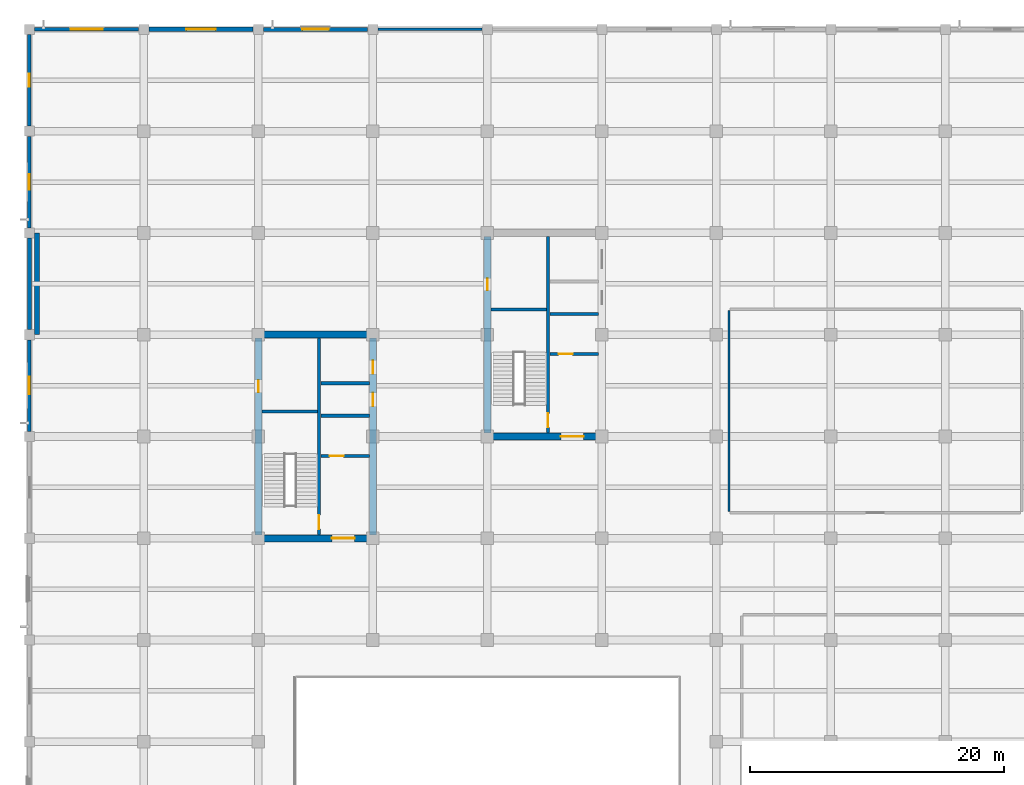
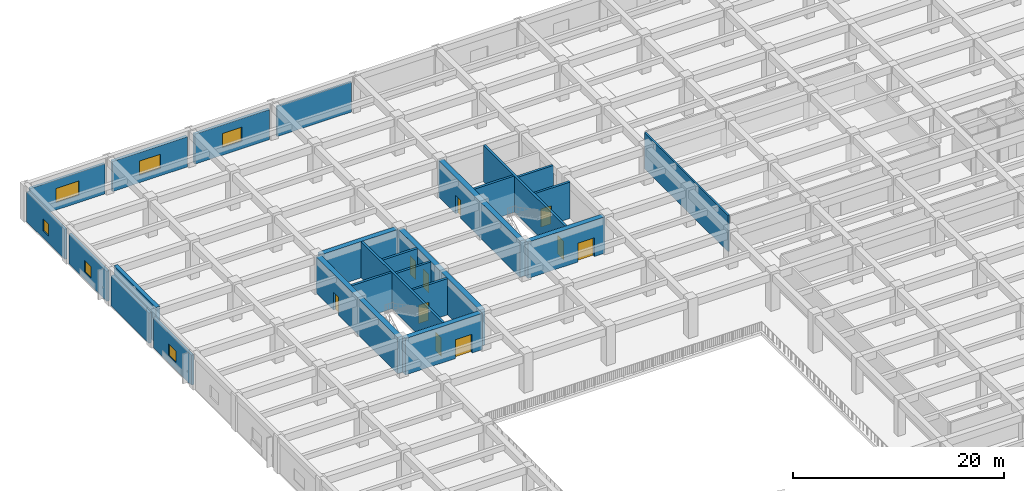
# One storey, part 13 of 32: 25 walls, 10 doors, 6 windows, 16 openings.
"""IFC4 building model written with IfcOpenShell, lengths in metres."""

from ifc_helpers import new_model, si_unit, direction, frame, frame_2d, origin, place, context, subcontext, project, spatial, rectangle, extrude, material, layer, layer_set, type_object, element, fill, save


model = new_model("IFC4")

# Units and contexts
model_context = context("Model", 3, precision=1e-05, world=origin(), true_north=direction((0.0, 1.0)))
body_context = subcontext(model_context, "Body", "Model", "MODEL_VIEW")
ifc_project = project(units=[si_unit("LENGTHUNIT", "METRE"), si_unit("AREAUNIT", "SQUARE_METRE"), si_unit("VOLUMEUNIT", "CUBIC_METRE"), si_unit("PLANEANGLEUNIT", "RADIAN"), si_unit("MASSUNIT", "GRAM", prefix="KILO")], contexts=[model_context])

# Site, building, storey
site_placement = place(None, origin())
site = spatial("IfcSite", under=ifc_project, at=site_placement, CompositionType="ELEMENT")
building_placement = place(site_placement, origin())
building = spatial("IfcBuilding", under=site, at=building_placement, Name="Zaverband Oceanarium and Marine Research Institute", CompositionType="ELEMENT")
storey_placement = place(building_placement, frame((0.0, 0.0, 13.5)))
storey = spatial("IfcBuildingStorey", under=building, at=storey_placement, Name="L03", CompositionType="ELEMENT", Elevation=13.5)

# Wall
ifc_material_1 = material(Name="Concrete C40/50 precast", Category="concrete")
ifc_layer_1 = layer(ifc_material_1, 0.18505859375, Name="Concrete C40/50 precast")
ifc_layer_set_1 = layer_set([ifc_layer_1], Name="Concrete C40/50 precast")
wall_type_1 = type_object("IfcWallType", Name="CLS-185", PredefinedType="ELEMENTEDWALL", material=ifc_layer_set_1)
wall_1_placement = place(storey_placement, frame((27.405029296875, 120.0, 0.0), z_axis=(0.0, 0.0, 1.0), x_axis=(1.0, 0.0, 0.0)))
element("IfcWall", 1, at=wall_1_placement, inside=storey, type_object=wall_type_1, Name="Pierced concrete screen CLS-185", PredefinedType="ELEMENTEDWALL", context=body_context, shape_type="SweptSolid", body=[
    extrude(rectangle(XDim=8.18994140625, YDim=0.18505859375, at=frame_2d((4.094970703125, 0.0))), origin(), (0.0, 0.0, 1.0), 3.47998046875),
])

# Wall, opening, door
ifc_material_2 = material(Name="Concrete C50/60", Category="concrete")
ifc_layer_2 = layer(ifc_material_2, 0.550048828125, Name="Concrete C50/60")
ifc_layer_set_2 = layer_set([ifc_layer_2], Name="Concrete C50/60")
wall_type_2 = type_object("IfcWallType", Name="CW-01", PredefinedType="SHEAR", material=ifc_layer_set_2)
wall_2_placement = place(storey_placement, frame((18.27490234375, 80.0, 0.0), z_axis=(0.0, 0.0, 1.0), x_axis=(1.0, 0.0, 0.0)))
wall_2 = element("IfcWall", 2, at=wall_2_placement, inside=storey, type_object=wall_type_2, Name="Structural shear wall CW-01", PredefinedType="SHEAR", context=body_context, shape_type="SweptSolid", body=[
    extrude(rectangle(XDim=8.4501953125, YDim=0.550048828125, at=frame_2d((4.22509765625, 0.0))), origin(), (0.0, 0.0, 1.0), 4.199951171875),
])
opening_1_placement = place(wall_2_placement, frame((5.5, 0.0, 0.0)))
opening_1 = element("IfcOpeningElement", 3, at=opening_1_placement, cuts=wall_2, Name="Opening FD-02", PredefinedType="OPENING", context=body_context, shape_type="SweptSolid", body=[
    extrude(rectangle(XDim=1.800048828125, YDim=2.179931640625, at=frame_2d((0.89990234375, 1.08984375))), frame((0.0, 0.287109375, 0.0), z_axis=(0.0, -1.0, 0.0), x_axis=(1.0, 0.0, 0.0)), (0.0, 0.0, 1.0), 0.573974609375),
])
ifc_material_3 = material(Name="Steel S355", Category="steel")
door_type_1 = type_object("IfcDoorType", Name="FD-02", OperationType="DOUBLE_DOOR_SINGLE_SWING", PredefinedType="DOOR", material=ifc_material_3)
door_1_placement = place(opening_1_placement, origin())
door_1 = element("IfcDoor", 4, at=door_1_placement, inside=storey, type_object=door_type_1, Name="Protected lobby double fire door FD-02", OperationType="DOUBLE_DOOR_SINGLE_SWING", OverallHeight=2.179931640625, OverallWidth=1.800048828125, PredefinedType="DOOR", context=body_context, shape_type="SweptSolid", body=[
    extrude(rectangle(XDim=1.800048828125, YDim=2.179931640625, at=frame_2d((0.89990234375, 1.08984375))), frame((0.0, 0.02490234375, 0.0), z_axis=(0.0, -1.0, 0.0), x_axis=(1.0, 0.0, 0.0)), (0.0, 0.0, 1.0), 0.050048828125),
])
fill(opening_1, door_1)

# Wall
wall_3_placement = place(storey_placement, frame((18.27490234375, 96.0, 0.0), z_axis=(0.0, 0.0, 1.0), x_axis=(1.0, 0.0, 0.0)))
element("IfcWall", 5, at=wall_3_placement, inside=storey, type_object=wall_type_2, Name="Structural shear wall CW-01", PredefinedType="SHEAR", context=body_context, shape_type="SweptSolid", body=[
    extrude(rectangle(XDim=8.4501953125, YDim=0.550048828125, at=frame_2d((4.22509765625, 0.0))), origin(), (0.0, 0.0, 1.0), 4.199951171875),
])

# Wall, opening, door
wall_4_placement = place(storey_placement, frame((18.0, 80.27490234375, 0.0), z_axis=(0.0, 0.0, 1.0), x_axis=(0.0, 1.0, 0.0)))
wall_4 = element("IfcWall", 6, at=wall_4_placement, inside=storey, type_object=wall_type_2, Name="Structural shear wall CW-01", PredefinedType="SHEAR", context=body_context, shape_type="SweptSolid", body=[
    extrude(rectangle(XDim=15.4501953125, YDim=0.550048828125, at=frame_2d((7.72509765625, 0.0))), origin(), (0.0, 0.0, 1.0), 4.199951171875),
])
opening_2_placement = place(wall_4_placement, frame((11.199951171875, 0.0, 0.0)))
opening_2 = element("IfcOpeningElement", 7, at=opening_2_placement, cuts=wall_4, Name="Opening FD-03", PredefinedType="OPENING", context=body_context, shape_type="SweptSolid", body=[
    extrude(rectangle(XDim=0.949951171875, YDim=2.10009765625, at=frame_2d((0.47509765625, 1.050048828125))), frame((0.0, 0.287109375, 0.0), z_axis=(0.0, -1.0, 0.0), x_axis=(1.0, 0.0, 0.0)), (0.0, 0.0, 1.0), 0.573974609375),
])
door_type_2 = type_object("IfcDoorType", Name="FD-03", OperationType="NOTDEFINED", PredefinedType="DOOR", material=ifc_material_3)
door_2_placement = place(opening_2_placement, origin())
door_2 = element("IfcDoor", 8, at=door_2_placement, inside=storey, type_object=door_type_2, Name="Service riser access fire door FD-03", OperationType="SINGLE_SWING_RIGHT", OverallHeight=2.10009765625, OverallWidth=0.949951171875, PredefinedType="DOOR", context=body_context, shape_type="SweptSolid", body=[
    extrude(rectangle(XDim=0.949951171875, YDim=2.10009765625, at=frame_2d((0.47509765625, 1.050048828125))), frame((0.0, 0.02490234375, 0.0), z_axis=(0.0, -1.0, 0.0), x_axis=(1.0, 0.0, 0.0)), (0.0, 0.0, 1.0), 0.050048828125),
])
fill(opening_2, door_2)

# Wall, openings, doors
wall_5_placement = place(storey_placement, frame((27.0, 80.27490234375, 0.0), z_axis=(0.0, 0.0, 1.0), x_axis=(0.0, 1.0, 0.0)))
wall_5 = element("IfcWall", 9, at=wall_5_placement, inside=storey, type_object=wall_type_2, Name="Structural shear wall CW-01", PredefinedType="SHEAR", context=body_context, shape_type="SweptSolid", body=[
    extrude(rectangle(XDim=15.4501953125, YDim=0.550048828125, at=frame_2d((7.72509765625, 0.0))), origin(), (0.0, 0.0, 1.0), 4.199951171875),
])
opening_3_placement = place(wall_5_placement, frame((10.10009765625, 0.0, 0.0)))
opening_3 = element("IfcOpeningElement", 10, at=opening_3_placement, cuts=wall_5, Name="Opening LD-02", PredefinedType="OPENING", context=body_context, shape_type="SweptSolid", body=[
    extrude(rectangle(XDim=1.050048828125, YDim=2.1201171875, at=frame_2d((0.52490234375, 1.06005859375))), frame((0.0, 0.287109375, 0.0), z_axis=(0.0, -1.0, 0.0), x_axis=(1.0, 0.0, 0.0)), (0.0, 0.0, 1.0), 0.573974609375),
])
opening_4_placement = place(wall_5_placement, frame((12.64990234375, 0.0, 0.0)))
opening_4 = element("IfcOpeningElement", 11, at=opening_4_placement, cuts=wall_5, Name="Opening LD-02", PredefinedType="OPENING", context=body_context, shape_type="SweptSolid", body=[
    extrude(rectangle(XDim=1.050048828125, YDim=2.1201171875, at=frame_2d((0.52490234375, 1.06005859375))), frame((0.0, 0.287109375, 0.0), z_axis=(0.0, -1.0, 0.0), x_axis=(1.0, 0.0, 0.0)), (0.0, 0.0, 1.0), 0.573974609375),
])
door_type_3 = type_object("IfcDoorType", Name="LD-02", OperationType="DOUBLE_DOOR_SLIDING", PredefinedType="DOOR", material=ifc_material_3)
door_3_placement = place(opening_3_placement, origin())
door_3 = element("IfcDoor", 12, at=door_3_placement, inside=storey, type_object=door_type_3, Name="Passenger lift sliding landing door LD-02", OperationType="DOUBLE_DOOR_SLIDING", OverallHeight=2.1201171875, OverallWidth=1.050048828125, PredefinedType="DOOR", context=body_context, shape_type="SweptSolid", body=[
    extrude(rectangle(XDim=1.050048828125, YDim=2.1201171875, at=frame_2d((0.52490234375, 1.06005859375))), frame((0.0, 0.02490234375, 0.0), z_axis=(0.0, -1.0, 0.0), x_axis=(1.0, 0.0, 0.0)), (0.0, 0.0, 1.0), 0.050048828125),
])
fill(opening_3, door_3)
door_4_placement = place(opening_4_placement, origin())
door_4 = element("IfcDoor", 13, at=door_4_placement, inside=storey, type_object=door_type_3, Name="Passenger lift sliding landing door LD-02", OperationType="DOUBLE_DOOR_SLIDING", OverallHeight=2.1201171875, OverallWidth=1.050048828125, PredefinedType="DOOR", context=body_context, shape_type="SweptSolid", body=[
    extrude(rectangle(XDim=1.050048828125, YDim=2.1201171875, at=frame_2d((0.52490234375, 1.06005859375))), frame((0.0, 0.02490234375, 0.0), z_axis=(0.0, -1.0, 0.0), x_axis=(1.0, 0.0, 0.0)), (0.0, 0.0, 1.0), 0.050048828125),
])
fill(opening_4, door_4)

# Wall, opening, door
wall_6_placement = place(storey_placement, frame((36.27490234375, 88.0, 0.0), z_axis=(0.0, 0.0, 1.0), x_axis=(1.0, 0.0, 0.0)))
wall_6 = element("IfcWall", 14, at=wall_6_placement, inside=storey, type_object=wall_type_2, Name="Structural shear wall CW-01", PredefinedType="SHEAR", context=body_context, shape_type="SweptSolid", body=[
    extrude(rectangle(XDim=8.4501953125, YDim=0.550048828125, at=frame_2d((4.22509765625, 0.0))), origin(), (0.0, 0.0, 1.0), 4.199951171875),
])
opening_5_placement = place(wall_6_placement, frame((5.5, 0.0, 0.0)))
opening_5 = element("IfcOpeningElement", 15, at=opening_5_placement, cuts=wall_6, Name="Opening FD-02", PredefinedType="OPENING", context=body_context, shape_type="SweptSolid", body=[
    extrude(rectangle(XDim=1.800048828125, YDim=2.179931640625, at=frame_2d((0.89990234375, 1.08984375))), frame((0.0, 0.287109375, 0.0), z_axis=(0.0, -1.0, 0.0), x_axis=(1.0, 0.0, 0.0)), (0.0, 0.0, 1.0), 0.573974609375),
])
door_5_placement = place(opening_5_placement, origin())
door_5 = element("IfcDoor", 16, at=door_5_placement, inside=storey, type_object=door_type_1, Name="Protected lobby double fire door FD-02", OperationType="DOUBLE_DOOR_SINGLE_SWING", OverallHeight=2.179931640625, OverallWidth=1.800048828125, PredefinedType="DOOR", context=body_context, shape_type="SweptSolid", body=[
    extrude(rectangle(XDim=1.800048828125, YDim=2.179931640625, at=frame_2d((0.89990234375, 1.08984375))), frame((0.0, 0.02490234375, 0.0), z_axis=(0.0, -1.0, 0.0), x_axis=(1.0, 0.0, 0.0)), (0.0, 0.0, 1.0), 0.050048828125),
])
fill(opening_5, door_5)

wall_7_placement = place(storey_placement, frame((36.0, 88.27490234375, 0.0), z_axis=(0.0, 0.0, 1.0), x_axis=(0.0, 1.0, 0.0)))
wall_7 = element("IfcWall", 17, at=wall_7_placement, inside=storey, type_object=wall_type_2, Name="Structural shear wall CW-01", PredefinedType="SHEAR", context=body_context, shape_type="SweptSolid", body=[
    extrude(rectangle(XDim=15.4501953125, YDim=0.550048828125, at=frame_2d((7.72509765625, 0.0))), origin(), (0.0, 0.0, 1.0), 4.199951171875),
])
opening_6_placement = place(wall_7_placement, frame((11.199951171875, 0.0, 0.0)))
opening_6 = element("IfcOpeningElement", 18, at=opening_6_placement, cuts=wall_7, Name="Opening FD-03", PredefinedType="OPENING", context=body_context, shape_type="SweptSolid", body=[
    extrude(rectangle(XDim=0.949951171875, YDim=2.10009765625, at=frame_2d((0.47509765625, 1.050048828125))), frame((0.0, 0.287109375, 0.0), z_axis=(0.0, -1.0, 0.0), x_axis=(1.0, 0.0, 0.0)), (0.0, 0.0, 1.0), 0.573974609375),
])
door_6_placement = place(opening_6_placement, origin())
door_6 = element("IfcDoor", 19, at=door_6_placement, inside=storey, type_object=door_type_2, Name="Service riser access fire door FD-03", OperationType="SINGLE_SWING_RIGHT", OverallHeight=2.10009765625, OverallWidth=0.949951171875, PredefinedType="DOOR", context=body_context, shape_type="SweptSolid", body=[
    extrude(rectangle(XDim=0.949951171875, YDim=2.10009765625, at=frame_2d((0.47509765625, 1.050048828125))), frame((0.0, 0.02490234375, 0.0), z_axis=(0.0, -1.0, 0.0), x_axis=(1.0, 0.0, 0.0)), (0.0, 0.0, 1.0), 0.050048828125),
])
fill(opening_6, door_6)

# Wall, opening, window
ifc_layer_3 = layer(ifc_material_1, 0.264892578125, Name="Concrete C40/50 precast")
ifc_layer_set_3 = layer_set([ifc_layer_3], Name="Concrete C40/50 precast")
wall_type_3 = type_object("IfcWallType", Name="EW-265", PredefinedType="STANDARD", material=ifc_layer_set_3)
wall_8_placement = place(storey_placement, frame((0.405029296875, 120.0, 0.0), z_axis=(0.0, 0.0, 1.0), x_axis=(1.0, 0.0, 0.0)))
wall_8 = element("IfcWall", 20, at=wall_8_placement, inside=storey, type_object=wall_type_3, Name="Exterior infill wall EW-265", PredefinedType="STANDARD", context=body_context, shape_type="SweptSolid", body=[
    extrude(rectangle(XDim=8.18994140625, YDim=0.264892578125, at=frame_2d((4.094970703125, 0.0))), origin(), (0.0, 0.0, 1.0), 3.47998046875),
])
opening_7_placement = place(wall_8_placement, frame((2.844970703125, 0.0, 0.85009765625)))
opening_7 = element("IfcOpeningElement", 21, at=opening_7_placement, cuts=wall_8, Name="Opening WN-2500x1650", PredefinedType="OPENING", context=body_context, shape_type="SweptSolid", body=[
    extrude(rectangle(XDim=2.5, YDim=1.64990234375, at=frame_2d((1.25, 0.824951171875))), frame((0.0, 0.14453125, 0.0), z_axis=(0.0, -1.0, 0.0), x_axis=(1.0, 0.0, 0.0)), (0.0, 0.0, 1.0), 0.288818359375),
])
ifc_material_4 = material(Name="Thermally broken anodized aluminium and solar-control glass", Category="aluminium")
window_type_1 = type_object("IfcWindowType", Name="WN-2500x1650", PartitioningType="SINGLE_PANEL", PredefinedType="WINDOW", material=ifc_material_4)
window_1_placement = place(opening_7_placement, origin())
window_1 = element("IfcWindow", 22, at=window_1_placement, inside=storey, type_object=window_type_1, Name="Fixed / casement exterior window WN-2500x1650", OverallHeight=1.64990234375, OverallWidth=2.5, PartitioningType="SINGLE_PANEL", PredefinedType="WINDOW", context=body_context, shape_type="SweptSolid", body=[
    extrude(rectangle(XDim=2.5, YDim=1.64990234375, at=frame_2d((1.25, 0.824951171875))), frame((0.0, 0.030029296875, 0.0), z_axis=(0.0, -1.0, 0.0), x_axis=(1.0, 0.0, 0.0)), (0.0, 0.0, 1.0), 0.06005859375),
])
fill(opening_7, window_1)

wall_9_placement = place(storey_placement, frame((0.0, 88.405029296875, 0.0), z_axis=(0.0, 0.0, 1.0), x_axis=(0.0, 1.0, 0.0)))
wall_9 = element("IfcWall", 23, at=wall_9_placement, inside=storey, type_object=wall_type_3, Name="Exterior infill wall EW-265", PredefinedType="STANDARD", context=body_context, shape_type="SweptSolid", body=[
    extrude(rectangle(XDim=7.18994140625, YDim=0.264892578125, at=frame_2d((3.594970703125, 0.0))), origin(), (0.0, 0.0, 1.0), 3.47998046875),
])
opening_8_placement = place(wall_9_placement, frame((2.89501953125, 0.0, 0.85009765625)))
opening_8 = element("IfcOpeningElement", 24, at=opening_8_placement, cuts=wall_9, Name="Opening WN-1400x1350", PredefinedType="OPENING", context=body_context, shape_type="SweptSolid", body=[
    extrude(rectangle(XDim=1.39990234375, YDim=1.35009765625, at=frame_2d((0.699951171875, 0.675048828125))), frame((0.0, 0.14453125, 0.0), z_axis=(0.0, -1.0, 0.0), x_axis=(1.0, 0.0, 0.0)), (0.0, 0.0, 1.0), 0.288818359375),
])
window_type_2 = type_object("IfcWindowType", Name="WN-1400x1350", PartitioningType="SINGLE_PANEL", PredefinedType="WINDOW", material=ifc_material_4)
window_2_placement = place(opening_8_placement, origin())
window_2 = element("IfcWindow", 25, at=window_2_placement, inside=storey, type_object=window_type_2, Name="Fixed / casement exterior window WN-1400x1350", OverallHeight=1.35009765625, OverallWidth=1.39990234375, PartitioningType="SINGLE_PANEL", PredefinedType="WINDOW", context=body_context, shape_type="SweptSolid", body=[
    extrude(rectangle(XDim=1.39990234375, YDim=1.35009765625, at=frame_2d((0.699951171875, 0.675048828125))), frame((0.0, 0.030029296875, 0.0), z_axis=(0.0, -1.0, 0.0), x_axis=(1.0, 0.0, 0.0)), (0.0, 0.0, 1.0), 0.06005859375),
])
fill(opening_8, window_2)

wall_10_placement = place(storey_placement, frame((0.0, 112.405029296875, 0.0), z_axis=(0.0, 0.0, 1.0), x_axis=(0.0, 1.0, 0.0)))
wall_10 = element("IfcWall", 26, at=wall_10_placement, inside=storey, type_object=wall_type_3, Name="Exterior infill wall EW-265", PredefinedType="STANDARD", context=body_context, shape_type="SweptSolid", body=[
    extrude(rectangle(XDim=7.18994140625, YDim=0.264892578125, at=frame_2d((3.594970703125, 0.0))), origin(), (0.0, 0.0, 1.0), 3.47998046875),
])
opening_9_placement = place(wall_10_placement, frame((3.094970703125, 0.0, 0.85009765625)))
opening_9 = element("IfcOpeningElement", 27, at=opening_9_placement, cuts=wall_10, Name="Opening WN-1000x1350", PredefinedType="OPENING", context=body_context, shape_type="SweptSolid", body=[
    extrude(rectangle(XDim=1.0, YDim=1.35009765625, at=frame_2d((0.5, 0.675048828125))), frame((0.0, 0.14453125, 0.0), z_axis=(0.0, -1.0, 0.0), x_axis=(1.0, 0.0, 0.0)), (0.0, 0.0, 1.0), 0.288818359375),
])
window_type_3 = type_object("IfcWindowType", Name="WN-1000x1350", PartitioningType="SINGLE_PANEL", PredefinedType="WINDOW", material=ifc_material_4)
window_3_placement = place(opening_9_placement, origin())
window_3 = element("IfcWindow", 28, at=window_3_placement, inside=storey, type_object=window_type_3, Name="Fixed / casement exterior window WN-1000x1350", OverallHeight=1.35009765625, OverallWidth=1.0, PartitioningType="SINGLE_PANEL", PredefinedType="WINDOW", context=body_context, shape_type="SweptSolid", body=[
    extrude(rectangle(XDim=1.0, YDim=1.35009765625, at=frame_2d((0.5, 0.675048828125))), frame((0.0, 0.030029296875, 0.0), z_axis=(0.0, -1.0, 0.0), x_axis=(1.0, 0.0, 0.0)), (0.0, 0.0, 1.0), 0.06005859375),
])
fill(opening_9, window_3)

ifc_layer_4 = layer(ifc_material_1, 0.2900390625, Name="Concrete C40/50 precast")
ifc_layer_set_4 = layer_set([ifc_layer_4], Name="Concrete C40/50 precast")
wall_type_4 = type_object("IfcWallType", Name="EW-290", PredefinedType="STANDARD", material=ifc_layer_set_4)
wall_11_placement = place(storey_placement, frame((0.0, 104.405029296875, 0.0), z_axis=(0.0, 0.0, 1.0), x_axis=(0.0, 1.0, 0.0)))
wall_11 = element("IfcWall", 29, at=wall_11_placement, inside=storey, type_object=wall_type_4, Name="Exterior infill wall EW-290", PredefinedType="STANDARD", context=body_context, shape_type="SweptSolid", body=[
    extrude(rectangle(XDim=7.18994140625, YDim=0.2900390625, at=frame_2d((3.594970703125, 0.0))), origin(), (0.0, 0.0, 1.0), 3.47998046875),
])
opening_10_placement = place(wall_11_placement, frame((2.9951171875, 0.0, 0.85009765625)))
opening_10 = element("IfcOpeningElement", 30, at=opening_10_placement, cuts=wall_11, Name="Opening WN-1200x1350", PredefinedType="OPENING", context=body_context, shape_type="SweptSolid", body=[
    extrude(rectangle(XDim=1.199951171875, YDim=1.35009765625, at=frame_2d((0.60009765625, 0.675048828125))), frame((0.0, 0.156982421875, 0.0), z_axis=(0.0, -1.0, 0.0), x_axis=(1.0, 0.0, 0.0)), (0.0, 0.0, 1.0), 0.31396484375),
])
window_type_4 = type_object("IfcWindowType", Name="WN-1200x1350", PartitioningType="SINGLE_PANEL", PredefinedType="WINDOW", material=ifc_material_4)
window_4_placement = place(opening_10_placement, origin())
window_4 = element("IfcWindow", 31, at=window_4_placement, inside=storey, type_object=window_type_4, Name="Fixed / casement exterior window WN-1200x1350", OverallHeight=1.35009765625, OverallWidth=1.199951171875, PartitioningType="SINGLE_PANEL", PredefinedType="WINDOW", context=body_context, shape_type="SweptSolid", body=[
    extrude(rectangle(XDim=1.199951171875, YDim=1.35009765625, at=frame_2d((0.60009765625, 0.675048828125))), frame((0.0, 0.030029296875, 0.0), z_axis=(0.0, -1.0, 0.0), x_axis=(1.0, 0.0, 0.0)), (0.0, 0.0, 1.0), 0.06005859375),
])
fill(opening_10, window_4)

ifc_layer_5 = layer(ifc_material_1, 0.31005859375, Name="Concrete C40/50 precast")
ifc_layer_set_5 = layer_set([ifc_layer_5], Name="Concrete C40/50 precast")
wall_type_5 = type_object("IfcWallType", Name="EW-310", PredefinedType="STANDARD", material=ifc_layer_set_5)
wall_12_placement = place(storey_placement, frame((18.405029296875, 120.0, 0.0), z_axis=(0.0, 0.0, 1.0), x_axis=(1.0, 0.0, 0.0)))
wall_12 = element("IfcWall", 32, at=wall_12_placement, inside=storey, type_object=wall_type_5, Name="Exterior infill wall EW-310", PredefinedType="STANDARD", context=body_context, shape_type="SweptSolid", body=[
    extrude(rectangle(XDim=8.18994140625, YDim=0.31005859375, at=frame_2d((4.094970703125, 0.0))), origin(), (0.0, 0.0, 1.0), 3.47998046875),
])
opening_11_placement = place(wall_12_placement, frame((3.044921875, 0.0, 0.85009765625)))
opening_11 = element("IfcOpeningElement", 33, at=opening_11_placement, cuts=wall_12, Name="Opening WN-2100x1650", PredefinedType="OPENING", context=body_context, shape_type="SweptSolid", body=[
    extrude(rectangle(XDim=2.10009765625, YDim=1.64990234375, at=frame_2d((1.050048828125, 0.824951171875))), frame((0.0, 0.1669921875, 0.0), z_axis=(0.0, -1.0, 0.0), x_axis=(1.0, 0.0, 0.0)), (0.0, 0.0, 1.0), 0.333984375),
])
window_type_5 = type_object("IfcWindowType", Name="WN-2100x1650", PartitioningType="SINGLE_PANEL", PredefinedType="WINDOW", material=ifc_material_4)
window_5_placement = place(opening_11_placement, origin())
window_5 = element("IfcWindow", 34, at=window_5_placement, inside=storey, type_object=window_type_5, Name="Fixed / casement exterior window WN-2100x1650", OverallHeight=1.64990234375, OverallWidth=2.10009765625, PartitioningType="SINGLE_PANEL", PredefinedType="WINDOW", context=body_context, shape_type="SweptSolid", body=[
    extrude(rectangle(XDim=2.10009765625, YDim=1.64990234375, at=frame_2d((1.050048828125, 0.824951171875))), frame((0.0, 0.030029296875, 0.0), z_axis=(0.0, -1.0, 0.0), x_axis=(1.0, 0.0, 0.0)), (0.0, 0.0, 1.0), 0.06005859375),
])
fill(opening_11, window_5)

# Wall
wall_13_placement = place(storey_placement, frame((0.0, 96.405029296875, 0.0), z_axis=(0.0, 0.0, 1.0), x_axis=(0.0, 1.0, 0.0)))
element("IfcWall", 35, at=wall_13_placement, inside=storey, type_object=wall_type_5, Name="Exterior infill wall EW-310", PredefinedType="STANDARD", context=body_context, shape_type="SweptSolid", body=[
    extrude(rectangle(XDim=7.18994140625, YDim=0.31005859375, at=frame_2d((3.594970703125, 0.0))), origin(), (0.0, 0.0, 1.0), 3.47998046875),
])

# Wall, opening, window
ifc_layer_6 = layer(ifc_material_1, 0.340087890625, Name="Concrete C40/50 precast")
ifc_layer_set_6 = layer_set([ifc_layer_6], Name="Concrete C40/50 precast")
wall_type_6 = type_object("IfcWallType", Name="EW-340", PredefinedType="STANDARD", material=ifc_layer_set_6)
wall_14_placement = place(storey_placement, frame((9.405029296875, 120.0, 0.0), z_axis=(0.0, 0.0, 1.0), x_axis=(1.0, 0.0, 0.0)))
wall_14 = element("IfcWall", 36, at=wall_14_placement, inside=storey, type_object=wall_type_6, Name="Exterior infill wall EW-340", PredefinedType="STANDARD", context=body_context, shape_type="SweptSolid", body=[
    extrude(rectangle(XDim=8.18994140625, YDim=0.340087890625, at=frame_2d((4.094970703125, 0.0))), origin(), (0.0, 0.0, 1.0), 3.47998046875),
])
opening_12_placement = place(wall_14_placement, frame((2.945068359375, 0.0, 0.85009765625)))
opening_12 = element("IfcOpeningElement", 37, at=opening_12_placement, cuts=wall_14, Name="Opening WN-2300x1650", PredefinedType="OPENING", context=body_context, shape_type="SweptSolid", body=[
    extrude(rectangle(XDim=2.300048828125, YDim=1.64990234375, at=frame_2d((1.14990234375, 0.824951171875))), frame((0.0, 0.18212890625, 0.0), z_axis=(0.0, -1.0, 0.0), x_axis=(1.0, 0.0, 0.0)), (0.0, 0.0, 1.0), 0.364013671875),
])
window_type_6 = type_object("IfcWindowType", Name="WN-2300x1650", PartitioningType="SINGLE_PANEL", PredefinedType="WINDOW", material=ifc_material_4)
window_6_placement = place(opening_12_placement, origin())
window_6 = element("IfcWindow", 38, at=window_6_placement, inside=storey, type_object=window_type_6, Name="Fixed / casement exterior window WN-2300x1650", OverallHeight=1.64990234375, OverallWidth=2.300048828125, PartitioningType="SINGLE_PANEL", PredefinedType="WINDOW", context=body_context, shape_type="SweptSolid", body=[
    extrude(rectangle(XDim=2.300048828125, YDim=1.64990234375, at=frame_2d((1.14990234375, 0.824951171875))), frame((0.0, 0.030029296875, 0.0), z_axis=(0.0, -1.0, 0.0), x_axis=(1.0, 0.0, 0.0)), (0.0, 0.0, 1.0), 0.06005859375),
])
fill(opening_12, window_6)

# Wall
ifc_material_5 = material(Name="Moisture-resistant laboratory blockwork", Category="masonry")
ifc_layer_7 = layer(ifc_material_5, 0.179931640625, Name="Moisture-resistant laboratory blockwork")
ifc_layer_set_7 = layer_set([ifc_layer_7], Name="Moisture-resistant laboratory blockwork")
wall_type_7 = type_object("IfcWallType", Name="PT-180-LB", PredefinedType="PARTITIONING", material=ifc_layer_set_7)
wall_15_placement = place(storey_placement, frame((55.0, 82.090087890625, 0.0), z_axis=(0.0, 0.0, 1.0), x_axis=(0.0, 1.0, 0.0)))
element("IfcWall", 39, at=wall_15_placement, inside=storey, type_object=wall_type_7, Name="Internal partition PT-180-LB", PredefinedType="PARTITIONING", context=body_context, shape_type="SweptSolid", body=[
    extrude(rectangle(XDim=15.81982421875, YDim=0.179931640625, at=frame_2d((7.909912109375, 0.0))), origin(), (0.0, 0.0, 1.0), 4.199951171875),
])

# Wall, opening, door
ifc_layer_8 = layer(ifc_material_2, 0.25, Name="Concrete C50/60")
ifc_layer_set_8 = layer_set([ifc_layer_8], Name="Concrete C50/60")
wall_type_8 = type_object("IfcWallType", Name="PW-CORE-250", PredefinedType="SOLIDWALL", material=ifc_layer_set_8)
wall_16_placement = place(storey_placement, frame((22.77490234375, 80.27490234375, 0.0), z_axis=(0.0, 0.0, 1.0), x_axis=(0.0, 1.0, 0.0)))
wall_16 = element("IfcWall", 40, at=wall_16_placement, inside=storey, type_object=wall_type_8, Name="Structural concrete wall PW-CORE-250", PredefinedType="SOLIDWALL", context=body_context, shape_type="SweptSolid", body=[
    extrude(rectangle(XDim=15.4501953125, YDim=0.25, at=frame_2d((7.72509765625, 0.0))), origin(), (0.0, 0.0, 1.0), 4.199951171875),
])
opening_13_placement = place(wall_16_placement, frame((0.449951171875, 0.0, 0.0)))
opening_13 = element("IfcOpeningElement", 41, at=opening_13_placement, cuts=wall_16, Name="Opening FD-01", PredefinedType="OPENING", context=body_context, shape_type="SweptSolid", body=[
    extrude(rectangle(XDim=1.10009765625, YDim=2.14990234375, at=frame_2d((0.550048828125, 1.074951171875))), frame((0.0, 0.136962890625, 0.0), z_axis=(0.0, -1.0, 0.0), x_axis=(1.0, 0.0, 0.0)), (0.0, 0.0, 1.0), 0.27392578125),
])
door_type_4 = type_object("IfcDoorType", Name="FD-01", OperationType="NOTDEFINED", PredefinedType="DOOR", material=ifc_material_3)
door_7_placement = place(opening_13_placement, origin())
door_7 = element("IfcDoor", 42, at=door_7_placement, inside=storey, type_object=door_type_4, Name="Core stair / lobby fire door FD-01", OperationType="SINGLE_SWING_RIGHT", OverallHeight=2.14990234375, OverallWidth=1.10009765625, PredefinedType="DOOR", context=body_context, shape_type="SweptSolid", body=[
    extrude(rectangle(XDim=1.10009765625, YDim=2.14990234375, at=frame_2d((0.550048828125, 1.074951171875))), frame((0.0, 0.02490234375, 0.0), z_axis=(0.0, -1.0, 0.0), x_axis=(1.0, 0.0, 0.0)), (0.0, 0.0, 1.0), 0.050048828125),
])
fill(opening_13, door_7)

# Wall
wall_17_placement = place(storey_placement, frame((18.27490234375, 89.97509765625, 0.0), z_axis=(0.0, 0.0, 1.0), x_axis=(1.0, 0.0, 0.0)))
element("IfcWall", 43, at=wall_17_placement, inside=storey, type_object=wall_type_8, Name="Structural concrete wall PW-CORE-250", PredefinedType="SOLIDWALL", context=body_context, shape_type="SweptSolid", body=[
    extrude(rectangle(XDim=4.3701171875, YDim=0.25, at=frame_2d((2.18505859375, 0.0))), origin(), (0.0, 0.0, 1.0), 4.199951171875),
])

# Wall, opening, door
wall_18_placement = place(storey_placement, frame((22.905029296875, 86.47509765625, 0.0), z_axis=(0.0, 0.0, 1.0), x_axis=(1.0, 0.0, 0.0)))
wall_18 = element("IfcWall", 44, at=wall_18_placement, inside=storey, type_object=wall_type_8, Name="Structural concrete wall PW-CORE-250", PredefinedType="SOLIDWALL", context=body_context, shape_type="SweptSolid", body=[
    extrude(rectangle(XDim=3.820068359375, YDim=0.25, at=frame_2d((1.91015625, 0.0))), origin(), (0.0, 0.0, 1.0), 4.199951171875),
])
opening_14_placement = place(wall_18_placement, frame((0.695068359375, 0.0, 0.0)))
opening_14 = element("IfcOpeningElement", 45, at=opening_14_placement, cuts=wall_18, Name="Opening LD-01", PredefinedType="OPENING", context=body_context, shape_type="SweptSolid", body=[
    extrude(rectangle(XDim=1.10009765625, YDim=2.1201171875, at=frame_2d((0.550048828125, 1.06005859375))), frame((0.0, 0.136962890625, 0.0), z_axis=(0.0, -1.0, 0.0), x_axis=(1.0, 0.0, 0.0)), (0.0, 0.0, 1.0), 0.27392578125),
])
door_type_5 = type_object("IfcDoorType", Name="LD-01", OperationType="DOUBLE_DOOR_SLIDING", PredefinedType="DOOR", material=ifc_material_3)
door_8_placement = place(opening_14_placement, origin())
door_8 = element("IfcDoor", 46, at=door_8_placement, inside=storey, type_object=door_type_5, Name="Firefighting lift sliding landing door LD-01", OperationType="DOUBLE_DOOR_SLIDING", OverallHeight=2.1201171875, OverallWidth=1.10009765625, PredefinedType="DOOR", context=body_context, shape_type="SweptSolid", body=[
    extrude(rectangle(XDim=1.10009765625, YDim=2.1201171875, at=frame_2d((0.550048828125, 1.06005859375))), frame((0.0, 0.02490234375, 0.0), z_axis=(0.0, -1.0, 0.0), x_axis=(1.0, 0.0, 0.0)), (0.0, 0.0, 1.0), 0.050048828125),
])
fill(opening_14, door_8)

# Walls
for number, where, z_axis, x_axis, name in (
    (47, (22.905029296875, 89.6298828125, 0.0), (0.0, 0.0, 1.0), (1.0, 0.0, 0.0), "Structural concrete wall PW-CORE-250"),
    (48, (22.905029296875, 92.179931640625, 0.0), (0.0, 0.0, 1.0), (1.0, 0.0, 0.0), "Structural concrete wall PW-CORE-250"),
):
    element("IfcWall", number, at=place(storey_placement, frame(where, z_axis=z_axis, x_axis=x_axis)), inside=storey, type_object=wall_type_8, Name=name, PredefinedType="SOLIDWALL", context=body_context, shape_type="SweptSolid", body=[
        extrude(rectangle(XDim=3.820068359375, YDim=0.25, at=frame_2d((1.91015625, 0.0))), origin(), (0.0, 0.0, 1.0), 4.199951171875),
    ])

# Wall, opening, door
wall_19_placement = place(storey_placement, frame((40.77490234375, 88.27490234375, 0.0), z_axis=(0.0, 0.0, 1.0), x_axis=(0.0, 1.0, 0.0)))
wall_19 = element("IfcWall", 49, at=wall_19_placement, inside=storey, type_object=wall_type_8, Name="Structural concrete wall PW-CORE-250", PredefinedType="SOLIDWALL", context=body_context, shape_type="SweptSolid", body=[
    extrude(rectangle(XDim=15.4501953125, YDim=0.25, at=frame_2d((7.72509765625, 0.0))), origin(), (0.0, 0.0, 1.0), 4.199951171875),
])
opening_15_placement = place(wall_19_placement, frame((0.449951171875, 0.0, 0.0)))
opening_15 = element("IfcOpeningElement", 50, at=opening_15_placement, cuts=wall_19, Name="Opening FD-01", PredefinedType="OPENING", context=body_context, shape_type="SweptSolid", body=[
    extrude(rectangle(XDim=1.10009765625, YDim=2.14990234375, at=frame_2d((0.550048828125, 1.074951171875))), frame((0.0, 0.136962890625, 0.0), z_axis=(0.0, -1.0, 0.0), x_axis=(1.0, 0.0, 0.0)), (0.0, 0.0, 1.0), 0.27392578125),
])
door_9_placement = place(opening_15_placement, origin())
door_9 = element("IfcDoor", 51, at=door_9_placement, inside=storey, type_object=door_type_4, Name="Core stair / lobby fire door FD-01", OperationType="SINGLE_SWING_RIGHT", OverallHeight=2.14990234375, OverallWidth=1.10009765625, PredefinedType="DOOR", context=body_context, shape_type="SweptSolid", body=[
    extrude(rectangle(XDim=1.10009765625, YDim=2.14990234375, at=frame_2d((0.550048828125, 1.074951171875))), frame((0.0, 0.02490234375, 0.0), z_axis=(0.0, -1.0, 0.0), x_axis=(1.0, 0.0, 0.0)), (0.0, 0.0, 1.0), 0.050048828125),
])
fill(opening_15, door_9)

# Wall
wall_20_placement = place(storey_placement, frame((36.27490234375, 97.97509765625, 0.0), z_axis=(0.0, 0.0, 1.0), x_axis=(1.0, 0.0, 0.0)))
element("IfcWall", 52, at=wall_20_placement, inside=storey, type_object=wall_type_8, Name="Structural concrete wall PW-CORE-250", PredefinedType="SOLIDWALL", context=body_context, shape_type="SweptSolid", body=[
    extrude(rectangle(XDim=4.3701171875, YDim=0.25, at=frame_2d((2.18505859375, 0.0))), origin(), (0.0, 0.0, 1.0), 4.199951171875),
])

# Wall, opening, door
wall_21_placement = place(storey_placement, frame((40.905029296875, 94.47509765625, 0.0), z_axis=(0.0, 0.0, 1.0), x_axis=(1.0, 0.0, 0.0)))
wall_21 = element("IfcWall", 53, at=wall_21_placement, inside=storey, type_object=wall_type_8, Name="Structural concrete wall PW-CORE-250", PredefinedType="SOLIDWALL", context=body_context, shape_type="SweptSolid", body=[
    extrude(rectangle(XDim=3.820068359375, YDim=0.25, at=frame_2d((1.91015625, 0.0))), origin(), (0.0, 0.0, 1.0), 4.199951171875),
])
opening_16_placement = place(wall_21_placement, frame((0.695068359375, 0.0, 0.0)))
opening_16 = element("IfcOpeningElement", 54, at=opening_16_placement, cuts=wall_21, Name="Opening LD-01", PredefinedType="OPENING", context=body_context, shape_type="SweptSolid", body=[
    extrude(rectangle(XDim=1.10009765625, YDim=2.1201171875, at=frame_2d((0.550048828125, 1.06005859375))), frame((0.0, 0.136962890625, 0.0), z_axis=(0.0, -1.0, 0.0), x_axis=(1.0, 0.0, 0.0)), (0.0, 0.0, 1.0), 0.27392578125),
])
door_10_placement = place(opening_16_placement, origin())
door_10 = element("IfcDoor", 55, at=door_10_placement, inside=storey, type_object=door_type_5, Name="Firefighting lift sliding landing door LD-01", OperationType="DOUBLE_DOOR_SLIDING", OverallHeight=2.1201171875, OverallWidth=1.10009765625, PredefinedType="DOOR", context=body_context, shape_type="SweptSolid", body=[
    extrude(rectangle(XDim=1.10009765625, YDim=2.1201171875, at=frame_2d((0.550048828125, 1.06005859375))), frame((0.0, 0.02490234375, 0.0), z_axis=(0.0, -1.0, 0.0), x_axis=(1.0, 0.0, 0.0)), (0.0, 0.0, 1.0), 0.050048828125),
])
fill(opening_16, door_10)

# Walls
wall_22_placement = place(storey_placement, frame((40.905029296875, 97.6298828125, 0.0), z_axis=(0.0, 0.0, 1.0), x_axis=(1.0, 0.0, 0.0)))
element("IfcWall", 56, at=wall_22_placement, inside=storey, type_object=wall_type_8, Name="Structural concrete wall PW-CORE-250", PredefinedType="SOLIDWALL", context=body_context, shape_type="SweptSolid", body=[
    extrude(rectangle(XDim=3.820068359375, YDim=0.25, at=frame_2d((1.91015625, 0.0))), origin(), (0.0, 0.0, 1.0), 4.199951171875),
])
ifc_layer_9 = layer(ifc_material_2, 0.419921875, Name="Concrete C50/60")
ifc_layer_set_9 = layer_set([ifc_layer_9], Name="Concrete C50/60")
wall_type_9 = type_object("IfcWallType", Name="SW-01", PredefinedType="SHEAR", material=ifc_layer_set_9)
wall_23_placement = place(storey_placement, frame((0.60009765625, 96.0, 0.0), z_axis=(0.0, 0.0, 1.0), x_axis=(0.0, 1.0, 0.0)))
element("IfcWall", 57, at=wall_23_placement, inside=storey, type_object=wall_type_9, Name="Structural shear wall SW-01", PredefinedType="SHEAR", context=body_context, shape_type="SweptSolid", body=[
    extrude(rectangle(XDim=8.0, YDim=0.419921875, at=frame_2d((4.0, 0.0))), origin(), (0.0, 0.0, 1.0), 4.199951171875),
])

save(model, "model.ifc")
